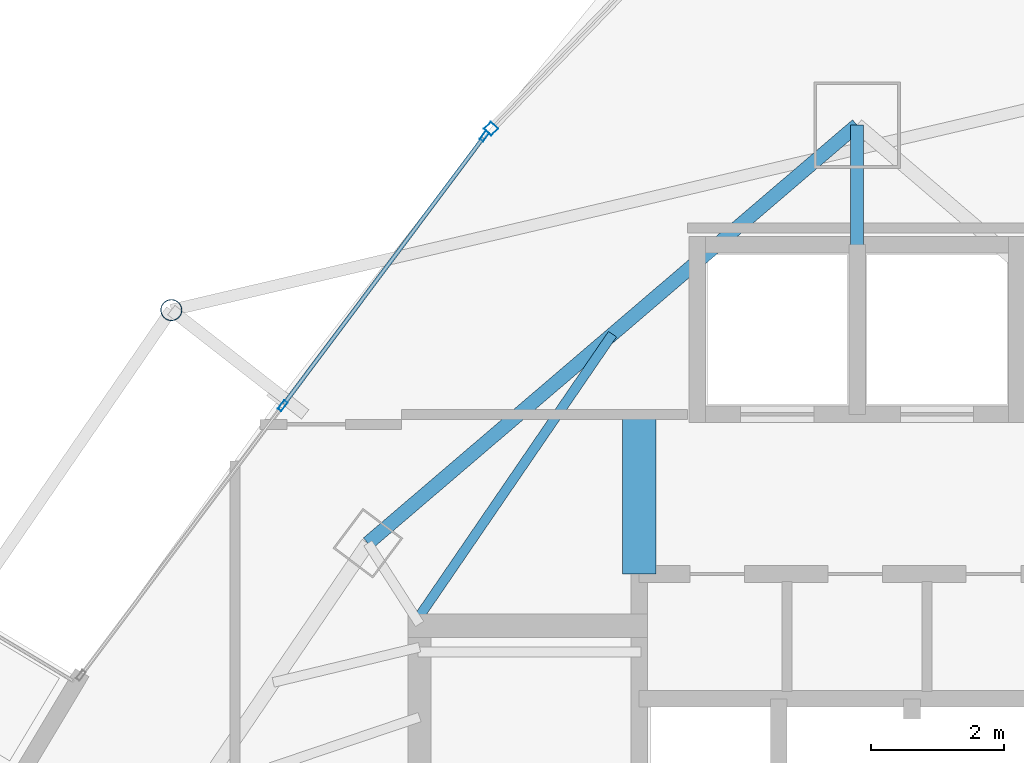
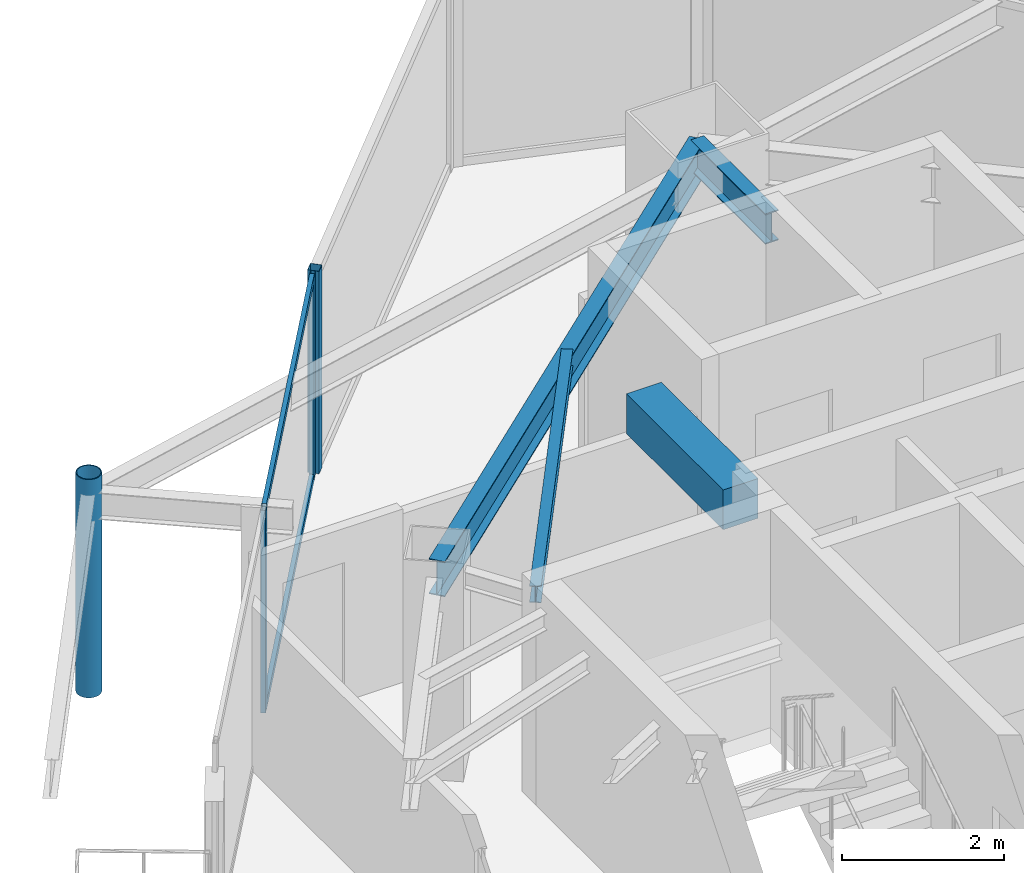
# One storey, part 23 of 33: 6 members, 4 beams, 2 elements without a shape of their own.
"""IFC4 building model written with IfcOpenShell, lengths in metres."""

from ifc_helpers import new_model, si_unit, direction, frame, origin, origin_2d, place, context, subcontext, project, spatial, rectangle, hollow_rectangle, hollow_circle, i_section, extrude, material, layer, layer_set, material_profile, profile_set, type_object, element, aggregate, save


model = new_model("IFC4")

# Units and contexts
model_context = context("Model", 3, precision=1e-05, world=origin(), true_north=direction((0.0, 1.0)))
body_context = subcontext(model_context, "Body", "Model", "MODEL_VIEW")
ifc_project = project(units=[si_unit("LENGTHUNIT", "METRE"), si_unit("AREAUNIT", "SQUARE_METRE"), si_unit("VOLUMEUNIT", "CUBIC_METRE"), si_unit("PLANEANGLEUNIT", "RADIAN"), si_unit("MASSUNIT", "GRAM", prefix="KILO")], contexts=[model_context])

# Site, building, storey
site_placement = place(None, origin())
site = spatial("IfcSite", under=ifc_project, at=site_placement, CompositionType="ELEMENT")
building_placement = place(site_placement, origin())
building = spatial("IfcBuilding", under=site, at=building_placement, Name="Orvanel Arch Residences", CompositionType="ELEMENT")
storey_placement = place(building_placement, frame((0.0, 0.0, 209.60009765625)))
storey = spatial("IfcBuildingStorey", under=building, at=storey_placement, Name="L59", CompositionType="ELEMENT", Elevation=209.60009765625)

# Beams
ifc_material_1 = material(Name="Structural steel AS/NZS 3679.1 Grade 300 (300 MPa)", Category="steel")
ifc_material_profile_1 = material_profile(ifc_material_1, i_section(OverallWidth=0.19091796875, OverallDepth=0.4599609375, WebThickness=0.010009765625, FlangeThickness=0.01611328125, at=origin_2d()), Name="460UB82.1")
ifc_profile_set_1 = profile_set([ifc_material_profile_1], Name="Structural steel AS/NZS 3679.1 Grade 300 (300 MPa)")
beam_type_1 = type_object("IfcBeamType", Name="BG-460UB", PredefinedType="BEAM", material=ifc_profile_set_1)
beam_1_placement = place(storey_placement, frame((33.0, 39.550048828125, 2.829833984375), z_axis=(0.0, 1.0, 0.0), x_axis=(-1.0, 0.0, 0.0)))
element("IfcBeam", 1, at=beam_1_placement, inside=storey, type_object=beam_type_1, Name="L59 North Radial Girder", PredefinedType="BEAM", context=body_context, shape_type="SweptSolid", body=[
    extrude(i_section(OverallWidth=0.19091796875, OverallDepth=0.4599609375, WebThickness=0.010009765625, FlangeThickness=0.01611328125, at=origin_2d()), origin(), (0.0, 0.0, 1.0), 1.847900390625),
])
ifc_material_profile_2 = material_profile(ifc_material_1, i_section(OverallWidth=0.14599609375, OverallDepth=0.251953125, WebThickness=0.006103515625, FlangeThickness=0.008544921875, at=origin_2d()), Name="250UB31.4")
ifc_profile_set_2 = profile_set([ifc_material_profile_2], Name="Structural steel AS/NZS 3679.1 Grade 300 (300 MPa)")
beam_type_2 = type_object("IfcBeamType", Name="BJ-250UB", PredefinedType="JOIST", material=ifc_profile_set_2)
beam_2_placement = place(storey_placement, frame((26.425048828125, 34.02001953125, 2.933837890625), z_axis=(0.564868085352, 0.825181220188, 0.0), x_axis=(-0.825181220188, 0.564868085352, 0.0)))
element("IfcBeam", 2, at=beam_2_placement, inside=storey, type_object=beam_type_2, Name="L59 NNW2 Wing Floor Joist", PredefinedType="JOIST", context=body_context, shape_type="SweptSolid", body=[
    extrude(i_section(OverallWidth=0.14599609375, OverallDepth=0.251953125, WebThickness=0.006103515625, FlangeThickness=0.008544921875, at=origin_2d()), origin(), (0.0, 0.0, 1.0), 5.132080078125),
])
ifc_material_2 = material(Name="Concrete S65 (65 MPa)", Category="concrete")
ifc_material_profile_3 = material_profile(ifc_material_2, rectangle(XDim=0.5, YDim=0.60009765625, at=origin_2d()), Name="RC500x600")
ifc_profile_set_3 = profile_set([ifc_material_profile_3], Name="Concrete S65 (65 MPa)")
beam_type_3 = type_object("IfcBeamType", Name="CB-500x600", PredefinedType="LINTEL", material=ifc_profile_set_3)
beam_3_placement = place(storey_placement, frame((29.72509765625, 34.64990234375, 2.760009765625), z_axis=(0.0, 1.0, 0.0), x_axis=(-1.0, 0.0, 0.0)))
element("IfcBeam", 3, at=beam_3_placement, inside=storey, type_object=beam_type_3, Name="L59 West Core Lobby Coupling Lintel Beam", PredefinedType="LINTEL", context=body_context, shape_type="SweptSolid", body=[
    extrude(rectangle(XDim=0.5, YDim=0.60009765625, at=origin_2d()), origin(), (0.0, 0.0, 1.0), 2.400146484375),
])

# Curtain wall, member
ifc_material_3 = material(Name="Bronze-anodised aluminium AA6063-T6", Category="aluminium")
ifc_layer_1 = layer(ifc_material_3, 0.18994140625)
ifc_layer_set_1 = layer_set([ifc_layer_1], Name="Bronze-anodised aluminium AA6063-T6")
curtain_wall_type_1 = type_object("IfcCurtainWallType", Name="CW5-CRN-SYS", PredefinedType="NOTDEFINED", material=ifc_layer_set_1)
curtain_wall_1_placement = place(storey_placement, origin())
curtain_wall_1 = element("IfcCurtainWall", 4, at=curtain_wall_1_placement, inside=storey, type_object=curtain_wall_type_1, Name="L59 CW5-CRN-SYS Unitised Curtain Wall", PredefinedType="NOTDEFINED")
ifc_material_profile_4 = material_profile(ifc_material_3, hollow_rectangle(XDim=0.14990234375, YDim=0.14990234375, WallThickness=0.0048828125, at=origin_2d()), Name="ALU150x150x5")
ifc_profile_set_4 = profile_set([ifc_material_profile_4], Name="Bronze-anodised aluminium AA6063-T6")
member_type_1 = type_object("IfcMemberType", Name="MUL-150x150", PredefinedType="MULLION", material=ifc_profile_set_4)
member_1_placement = place(storey_placement, frame((27.498291015625, 41.3427734375, 0.0), z_axis=(0.0, 0.0, 1.0), x_axis=(0.718044101209, -0.695997606834, 0.0)))
member_1 = element("IfcMember", 5, at=member_1_placement, type_object=member_type_1, Name="CW-S5 mullion 2", PredefinedType="MULLION", context=body_context, shape_type="SweptSolid", body=[
    extrude(hollow_rectangle(XDim=0.14990234375, YDim=0.14990234375, WallThickness=0.0048828125, at=origin_2d()), origin(), (0.0, 0.0, 1.0), 3.059814453125),
])
aggregate(curtain_wall_1, [member_1])

# Curtain wall, members
ifc_layer_2 = layer(ifc_material_3, 0.175048828125)
ifc_layer_set_2 = layer_set([ifc_layer_2], Name="Bronze-anodised aluminium AA6063-T6")
curtain_wall_type_2 = type_object("IfcCurtainWallType", Name="CW4-HI-SYS", PredefinedType="NOTDEFINED", material=ifc_layer_set_2)
curtain_wall_2_placement = place(storey_placement, origin())
curtain_wall_2 = element("IfcCurtainWall", 6, at=curtain_wall_2_placement, inside=storey, type_object=curtain_wall_type_2, Name="L59 CW4-HI-SYS Unitised Curtain Wall", PredefinedType="NOTDEFINED")
ifc_material_profile_5 = material_profile(ifc_material_3, hollow_rectangle(XDim=0.06494140625, YDim=0.159912109375, WallThickness=0.00390625, at=origin_2d()), Name="ALU160x65x4")
ifc_profile_set_5 = profile_set([ifc_material_profile_5], Name="Bronze-anodised aluminium AA6063-T6")
member_type_2 = type_object("IfcMemberType", Name="MUL-160x65", PredefinedType="MULLION", material=ifc_profile_set_5)
member_2_placement = place(storey_placement, frame((27.400634765625, 41.23291015625, 0.0), z_axis=(0.0, 0.0, 1.0), x_axis=(0.800635505282, -0.599151723424, 0.0)))
member_2 = element("IfcMember", 7, at=member_2_placement, type_object=member_type_2, Name="CW-S4 mullion 1", PredefinedType="MULLION", context=body_context, shape_type="SweptSolid", body=[
    extrude(hollow_rectangle(XDim=0.06494140625, YDim=0.159912109375, WallThickness=0.00390625, at=origin_2d()), origin(), (0.0, 0.0, 1.0), 3.059814453125),
])
member_3_placement = place(storey_placement, frame((24.367431640625, 37.179931640625, 0.0), z_axis=(0.0, 0.0, 1.0), x_axis=(0.800635505282, -0.599151723424, 0.0)))
member_3 = element("IfcMember", 8, at=member_3_placement, type_object=member_type_2, Name="CW-S4 mullion 2", PredefinedType="MULLION", context=body_context, shape_type="SweptSolid", body=[
    extrude(hollow_rectangle(XDim=0.06494140625, YDim=0.159912109375, WallThickness=0.00390625, at=origin_2d()), origin(), (0.0, 0.0, 1.0), 3.059814453125),
])

# Beam
ifc_material_profile_6 = material_profile(ifc_material_1, i_section(OverallWidth=0.208984375, OverallDepth=0.532958984375, WebThickness=0.01025390625, FlangeThickness=0.015625, at=origin_2d()), Name="530UB92.4")
ifc_profile_set_6 = profile_set([ifc_material_profile_6], Name="Structural steel AS/NZS 3679.1 Grade 300 (300 MPa)")
beam_type_4 = type_object("IfcBeamType", Name="SP-530UB", PredefinedType="SPANDREL", material=ifc_profile_set_6)
beam_4_placement = place(storey_placement, frame((33.0, 41.39794921875, 2.79296875), z_axis=(-0.760116518398, -0.649786794617, 0.0), x_axis=(0.649786794617, -0.760116518398, 0.0)))
element("IfcBeam", 9, at=beam_4_placement, inside=storey, type_object=beam_type_4, Name="L59 Perimeter Spandrel Beam 10", PredefinedType="SPANDREL", context=body_context, shape_type="SweptSolid", body=[
    extrude(i_section(OverallWidth=0.208984375, OverallDepth=0.532958984375, WebThickness=0.01025390625, FlangeThickness=0.015625, at=origin_2d()), origin(), (0.0, 0.0, 1.0), 9.67236328125),
])

# Member
ifc_material_4 = material(Name="Structural steel AS/NZS 1163 C350L0 (Grade 350)", Category="steel")
ifc_material_profile_7 = material_profile(ifc_material_4, hollow_circle(Radius=0.162109375, WallThickness=0.0126953125, at=origin_2d()), Name="CHS324x12.7")
ifc_profile_set_7 = profile_set([ifc_material_profile_7], Name="Structural steel AS/NZS 1163 C350L0 (Grade 350)")
member_type_3 = type_object("IfcMemberType", Name="ST-324CHS-EXT", PredefinedType="STRUT", material=ifc_profile_set_7)
member_4_placement = place(storey_placement, frame((22.694091796875, 38.616943359375, 0.0), z_axis=(0.0, 0.0, 1.0), x_axis=(1.0, 0.0, 0.0)))
element("IfcMember", 10, at=member_4_placement, inside=storey, type_object=member_type_3, Name="L59 Outer Perimeter Frame Post 01", PredefinedType="STRUT", context=body_context, shape_type="SweptSolid", body=[
    extrude(hollow_circle(Radius=0.162109375, WallThickness=0.0126953125, at=origin_2d()), origin(), (0.0, 0.0, 1.0), 3.2998046875),
])

ifc_material_profile_8 = material_profile(ifc_material_3, hollow_rectangle(XDim=0.06005859375, YDim=0.1201171875, WallThickness=0.00341796875, at=origin_2d()), Name="ALU120x60x3.5")
ifc_profile_set_8 = profile_set([ifc_material_profile_8], Name="Bronze-anodised aluminium AA6063-T6")
member_type_4 = type_object("IfcMemberType", Name="TRN-120x60", PredefinedType="USERDEFINED", material=ifc_profile_set_8)
member_5_placement = place(storey_placement, frame((27.381103515625, 41.20703125, 0.02978515625), z_axis=(-0.599155454717, -0.800632712973, 0.0), x_axis=(0.800632712973, -0.599155454717, 0.0)))
member_5 = element("IfcMember", 11, at=member_5_placement, type_object=member_type_4, Name="CW-S4 transom 1.1", ObjectType="TRANSOM", PredefinedType="USERDEFINED", context=body_context, shape_type="SweptSolid", body=[
    extrude(hollow_rectangle(XDim=0.06005859375, YDim=0.1201171875, WallThickness=0.00341796875, at=origin_2d()), origin(), (0.0, 0.0, 1.0), 4.997314453125),
])

member_6_placement = place(storey_placement, frame((27.381103515625, 41.20703125, 3.02978515625), z_axis=(-0.599155454717, -0.800632712973, 0.0), x_axis=(0.800632712973, -0.599155454717, 0.0)))
member_6 = element("IfcMember", 12, at=member_6_placement, type_object=member_type_4, Name="CW-S4 transom 1.2", ObjectType="TRANSOM", PredefinedType="USERDEFINED", context=body_context, shape_type="SweptSolid", body=[
    extrude(hollow_rectangle(XDim=0.06005859375, YDim=0.1201171875, WallThickness=0.00341796875, at=origin_2d()), origin(), (0.0, 0.0, 1.0), 4.997314453125),
])

aggregate(curtain_wall_2, [member_2, member_3, member_5, member_6])

save(model, "model.ifc")
